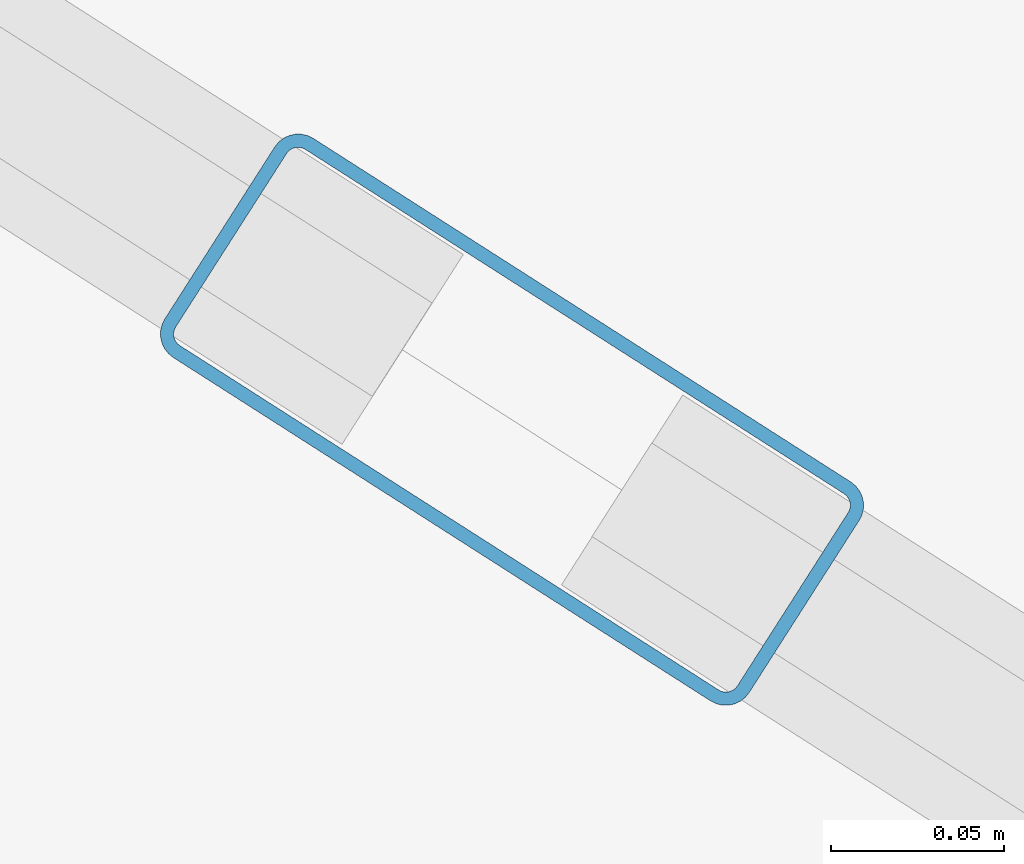
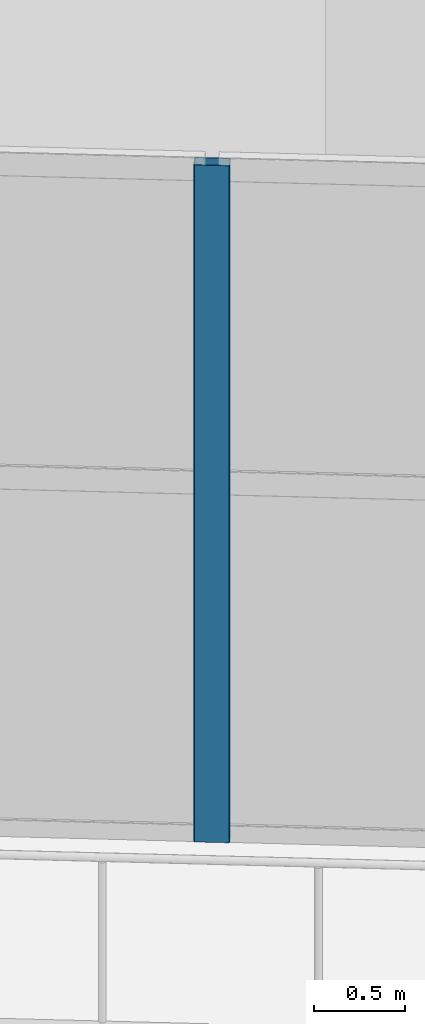
# One storey, part 2 of 36: 1 member, 1 element without a shape of its own.
"""IFC4 building model written with IfcOpenShell, lengths in metres."""

from ifc_helpers import new_model, si_unit, direction, frame, origin, origin_2d, place, context, subcontext, project, spatial, hollow_rectangle, extrude, material, layer, layer_set, material_profile, profile_set, type_object, element, aggregate, save


model = new_model("IFC4")

# Units and contexts
model_context = context("Model", 3, precision=1e-05, world=origin(), true_north=direction((0.0, 1.0)))
body_context = subcontext(model_context, "Body", "Model", "MODEL_VIEW")
ifc_project = project(units=[si_unit("LENGTHUNIT", "METRE"), si_unit("AREAUNIT", "SQUARE_METRE"), si_unit("VOLUMEUNIT", "CUBIC_METRE"), si_unit("PLANEANGLEUNIT", "RADIAN"), si_unit("MASSUNIT", "GRAM", prefix="KILO")], contexts=[model_context])

# Site, building, storey
site_placement = place(None, origin())
site = spatial("IfcSite", under=ifc_project, at=site_placement, CompositionType="ELEMENT")
building_placement = place(site_placement, origin())
building = spatial("IfcBuilding", under=site, at=building_placement, Name="Qorvath Tower", CompositionType="ELEMENT")
storey_placement = place(building_placement, frame((0.0, 0.0, 180.0)))
storey = spatial("IfcBuildingStorey", under=building, at=storey_placement, Name="L41", CompositionType="ELEMENT", Elevation=180.0)

# Curtain wall, member
ifc_material_1 = material(Name="Anodised aluminium and triple low-E glass", Category="aluminium")
ifc_layer = layer(ifc_material_1, 0.179931640625)
ifc_layer_set = layer_set([ifc_layer], Name="CW-SYS-5")
curtain_wall_type = type_object("IfcCurtainWallType", Name="CW-SYS-5", PredefinedType="NOTDEFINED", material=ifc_layer_set)
curtain_wall_placement = place(storey_placement, origin())
curtain_wall = element("IfcCurtainWall", 1, at=curtain_wall_placement, inside=storey, type_object=curtain_wall_type, Name="Curtain Wall CW-5 CW-T-L41-2.1", PredefinedType="NOTDEFINED")
ifc_material_2 = material(Name="Anodised aluminium 6063-T6", Category="aluminium")
ifc_material_profile = material_profile(ifc_material_2, hollow_rectangle(XDim=0.074951171875, YDim=0.199951171875, WallThickness=0.00390625, InnerFilletRadius=0.00390625, OuterFilletRadius=0.008056640625, at=origin_2d()), Name="CWM 200x75")
ifc_profile_set = profile_set([ifc_material_profile], Name="Anodised aluminium 6063-T6")
member_type = type_object("IfcMemberType", Name="CWM-200", PredefinedType="MULLION", material=ifc_profile_set)
member_placement = place(storey_placement, frame((-41.1435546875, -12.948486328125, 0.0), z_axis=(0.0, 0.0, 1.0), x_axis=(0.538533311115, 0.842604220747, 0.0)))
member = element("IfcMember", 2, at=member_placement, type_object=member_type, Name="CW-5 mullion 4", PredefinedType="MULLION", context=body_context, shape_type="SweptSolid", body=[
    extrude(hollow_rectangle(XDim=0.074951171875, YDim=0.199951171875, WallThickness=0.00390625, InnerFilletRadius=0.00390625, OuterFilletRadius=0.008056640625, at=origin_2d()), origin(), (0.0, 0.0, 1.0), 4.530029296875),
])
aggregate(curtain_wall, [member])

save(model, "model.ifc")
